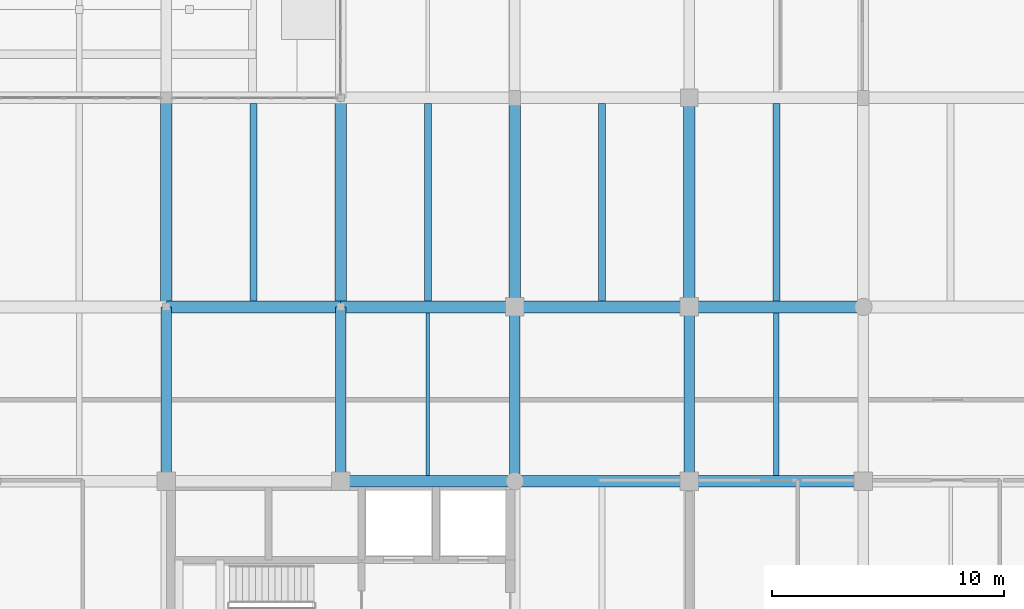
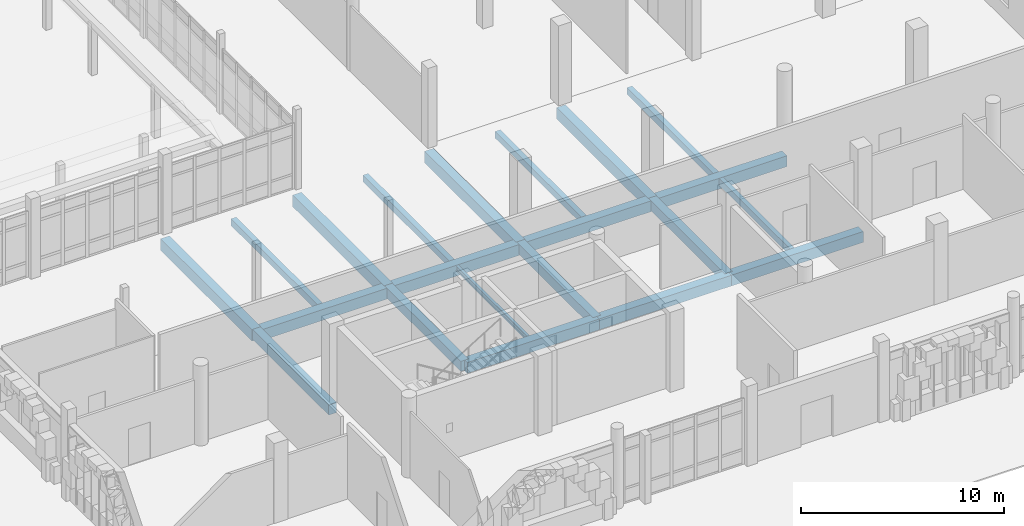
# One storey, part 55 of 125: 21 beams.
"""IFC4 building model written with IfcOpenShell, lengths in metres."""

from ifc_helpers import new_model, si_unit, direction, frame, origin, origin_2d, place, context, subcontext, project, spatial, rectangle, i_section, extrude, material, material_profile, profile_set, type_object, element, save


model = new_model("IFC4")

# Units and contexts
model_context = context("Model", 3, precision=1e-05, world=origin(), true_north=direction((0.0, 1.0)))
body_context = subcontext(model_context, "Body", "Model", "MODEL_VIEW")
ifc_project = project(units=[si_unit("LENGTHUNIT", "METRE"), si_unit("AREAUNIT", "SQUARE_METRE"), si_unit("VOLUMEUNIT", "CUBIC_METRE"), si_unit("PLANEANGLEUNIT", "RADIAN"), si_unit("MASSUNIT", "GRAM", prefix="KILO")], contexts=[model_context])

# Site, building, storey
site_placement = place(None, origin())
site = spatial("IfcSite", under=ifc_project, at=site_placement, CompositionType="ELEMENT")
building_placement = place(site_placement, origin())
building = spatial("IfcBuilding", under=site, at=building_placement, Name="Dalvernix Boulevard General Hospital", CompositionType="ELEMENT")
storey_placement = place(building_placement, origin())
storey = spatial("IfcBuildingStorey", under=building, at=storey_placement, Name="L00", CompositionType="ELEMENT", Elevation=0.0)

# Beams
ifc_material_1 = material(Name="Concrete C35/45", Category="concrete")
ifc_material_profile_1 = material_profile(ifc_material_1, rectangle(XDim=0.5, YDim=0.699951171875, at=origin_2d()), Name="RCB 500x700")
ifc_profile_set_1 = profile_set([ifc_material_profile_1], Name="Concrete C35/45")
beam_type_1 = type_object("IfcBeamType", Name="BM-B-01-I", PredefinedType="BEAM", material=ifc_profile_set_1)
for number, where, z_axis, x_axis, name in (
    (1, (127.5, 22.5, -0.7099609375), (0.0, 1.0, 0.0), (-1.0, 0.0, 0.0), "L00 N-S girder 18:D-E"),
    (2, (135.0, 22.5, -0.7099609375), (0.0, 1.0, 0.0), (-1.0, 0.0, 0.0), "L00 N-S girder 19:D-E"),
    (3, (142.5, 22.5, -0.7099609375), (0.0, 1.0, 0.0), (-1.0, 0.0, 0.0), "L00 N-S girder 20:D-E"),
    (4, (150.0, 22.5, -0.7099609375), (0.0, 1.0, 0.0), (-1.0, 0.0, 0.0), "L00 N-S girder 21:D-E"),
):
    element("IfcBeam", number, at=place(storey_placement, frame(where, z_axis=z_axis, x_axis=x_axis)), inside=storey, type_object=beam_type_1, Name=name, PredefinedType="BEAM", context=body_context, shape_type="SweptSolid", body=[
        extrude(rectangle(XDim=0.5, YDim=0.699951171875, at=origin_2d()), origin(), (0.0, 0.0, 1.0), 9.0),
    ])
ifc_material_profile_2 = material_profile(ifc_material_1, rectangle(XDim=0.5, YDim=0.64990234375, at=origin_2d()), Name="RCB 500x650")
ifc_profile_set_2 = profile_set([ifc_material_profile_2], Name="Concrete C35/45")
beam_type_2 = type_object("IfcBeamType", Name="BM-B-02-I", PredefinedType="BEAM", material=ifc_profile_set_2)
for number, where, z_axis, x_axis, name in (
    (5, (135.0, 15.0, -0.68505859375), (1.0, 0.0, 0.0), (0.0, 1.0, 0.0), "L00 E-W girder C:19-20"),
    (6, (142.5, 15.0, -0.68505859375), (1.0, 0.0, 0.0), (0.0, 1.0, 0.0), "L00 E-W girder C:20-21"),
    (7, (150.0, 15.0, -0.68505859375), (1.0, 0.0, 0.0), (0.0, 1.0, 0.0), "L00 E-W girder C:21-22"),
    (8, (127.5, 22.5, -0.68505859375), (1.0, 0.0, 0.0), (0.0, 1.0, 0.0), "L00 E-W girder D:18-19"),
    (9, (135.0, 22.5, -0.68505859375), (1.0, 0.0, 0.0), (0.0, 1.0, 0.0), "L00 E-W girder D:19-20"),
    (10, (142.5, 22.5, -0.68505859375), (1.0, 0.0, 0.0), (0.0, 1.0, 0.0), "L00 E-W girder D:20-21"),
    (11, (150.0, 22.5, -0.68505859375), (1.0, 0.0, 0.0), (0.0, 1.0, 0.0), "L00 E-W girder D:21-22"),
):
    element("IfcBeam", number, at=place(storey_placement, frame(where, z_axis=z_axis, x_axis=x_axis)), inside=storey, type_object=beam_type_2, Name=name, PredefinedType="BEAM", context=body_context, shape_type="SweptSolid", body=[
        extrude(rectangle(XDim=0.5, YDim=0.64990234375, at=origin_2d()), origin(), (0.0, 0.0, 1.0), 7.5),
    ])
ifc_material_profile_3 = material_profile(ifc_material_1, rectangle(XDim=0.449951171875, YDim=0.60009765625, at=origin_2d()), Name="RCB 450x600")
ifc_profile_set_3 = profile_set([ifc_material_profile_3], Name="Concrete C35/45")
beam_type_3 = type_object("IfcBeamType", Name="BM-B-04-I", PredefinedType="BEAM", material=ifc_profile_set_3)
for number, where, z_axis, x_axis, name in (
    (12, (127.5, 15.0, -0.659912109375), (0.0, 1.0, 0.0), (-1.0, 0.0, 0.0), "L00 N-S girder 18:C-D"),
    (13, (135.0, 15.0, -0.659912109375), (0.0, 1.0, 0.0), (-1.0, 0.0, 0.0), "L00 N-S girder 19:C-D"),
    (14, (142.5, 15.0, -0.659912109375), (0.0, 1.0, 0.0), (-1.0, 0.0, 0.0), "L00 N-S girder 20:C-D"),
    (15, (150.0, 15.0, -0.659912109375), (0.0, 1.0, 0.0), (-1.0, 0.0, 0.0), "L00 N-S girder 21:C-D"),
):
    element("IfcBeam", number, at=place(storey_placement, frame(where, z_axis=z_axis, x_axis=x_axis)), inside=storey, type_object=beam_type_3, Name=name, PredefinedType="BEAM", context=body_context, shape_type="SweptSolid", body=[
        extrude(rectangle(XDim=0.449951171875, YDim=0.60009765625, at=origin_2d()), origin(), (0.0, 0.0, 1.0), 7.5),
    ])
ifc_material_profile_4 = material_profile(ifc_material_1, rectangle(XDim=0.300048828125, YDim=0.39990234375, at=origin_2d()), Name="RCB 300x400")
ifc_profile_set_4 = profile_set([ifc_material_profile_4], Name="Concrete C35/45")
beam_type_4 = type_object("IfcBeamType", Name="BM-JB-01", PredefinedType="JOIST", material=ifc_profile_set_4)
for number, where, z_axis, x_axis, name in (
    (16, (131.25, 22.75, -0.56005859375), (0.0, 1.0, 0.0), (-1.0, 0.0, 0.0), "L00 secondary floor beam 18-D"),
    (17, (138.75, 22.75, -0.56005859375), (0.0, 1.0, 0.0), (-1.0, 0.0, 0.0), "L00 secondary floor beam 19-D"),
    (18, (146.25, 22.75, -0.56005859375), (0.0, 1.0, 0.0), (-1.0, 0.0, 0.0), "L00 secondary floor beam 20-D"),
    (19, (153.75, 22.75, -0.56005859375), (0.0, 1.0, 0.0), (-1.0, 0.0, 0.0), "L00 secondary floor beam 21-D"),
):
    element("IfcBeam", number, at=place(storey_placement, frame(where, z_axis=z_axis, x_axis=x_axis)), inside=storey, type_object=beam_type_4, Name=name, PredefinedType="JOIST", context=body_context, shape_type="SweptSolid", body=[
        extrude(rectangle(XDim=0.300048828125, YDim=0.39990234375, at=origin_2d()), origin(), (0.0, 0.0, 1.0), 8.5),
    ])
ifc_material_profile_5 = material_profile(ifc_material_1, rectangle(XDim=0.25, YDim=0.39990234375, at=origin_2d()), Name="RCB 250x400")
ifc_profile_set_5 = profile_set([ifc_material_profile_5], Name="Concrete C35/45")
beam_type_5 = type_object("IfcBeamType", Name="BM-JB-02", PredefinedType="JOIST", material=ifc_profile_set_5)
beam_1_placement = place(storey_placement, frame((153.75, 15.25, -0.56005859375), z_axis=(0.0, 1.0, 0.0), x_axis=(-1.0, 0.0, 0.0)))
element("IfcBeam", 20, at=beam_1_placement, inside=storey, type_object=beam_type_5, Name="L00 secondary floor beam 21-C", PredefinedType="JOIST", context=body_context, shape_type="SweptSolid", body=[
    extrude(rectangle(XDim=0.25, YDim=0.39990234375, at=origin_2d()), origin(), (0.0, 0.0, 1.0), 7.0),
])
ifc_material_2 = material(Name="Steel S355", Category="steel")
ifc_material_profile_6 = material_profile(ifc_material_2, i_section(OverallWidth=0.14990234375, OverallDepth=0.300048828125, WebThickness=0.007080078125, FlangeThickness=0.0107421875, FilletRadius=0.014892578125, at=origin_2d()), Name="IPE 300")
ifc_profile_set_6 = profile_set([ifc_material_profile_6], Name="Steel S355")
beam_type_6 = type_object("IfcBeamType", Name="BM-JB-03", PredefinedType="JOIST", material=ifc_profile_set_6)
beam_2_placement = place(storey_placement, frame((138.75, 15.25, -0.510009765625), z_axis=(0.0, 1.0, 0.0), x_axis=(-1.0, 0.0, 0.0)))
element("IfcBeam", 21, at=beam_2_placement, inside=storey, type_object=beam_type_6, Name="L00 secondary floor beam 19-C", PredefinedType="JOIST", context=body_context, shape_type="SweptSolid", body=[
    extrude(i_section(OverallWidth=0.14990234375, OverallDepth=0.300048828125, WebThickness=0.007080078125, FlangeThickness=0.0107421875, FilletRadius=0.014892578125, at=origin_2d()), origin(), (0.0, 0.0, 1.0), 7.0),
])

save(model, "model.ifc")
